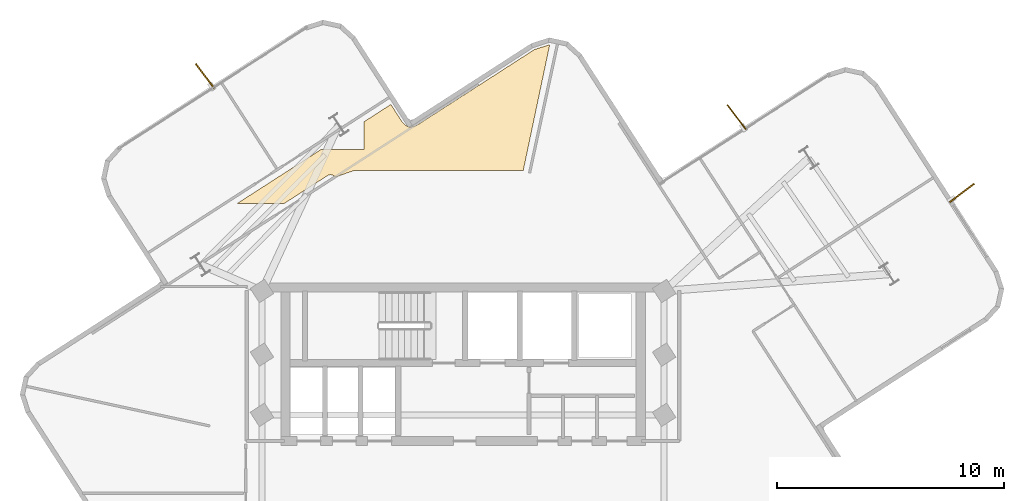
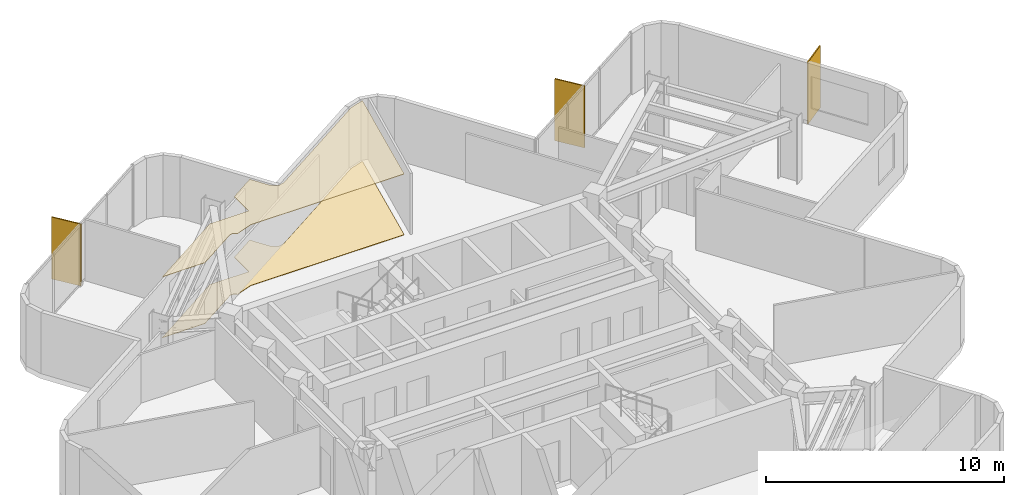
# One storey, part 8 of 8: 3 shading devices, 2 coverings.
"""IFC4 building model written with IfcOpenShell, lengths in metres."""

from ifc_helpers import new_model, si_unit, direction, frame, origin, origin_2d, place, context, subcontext, project, spatial, polyline, rectangle, outline, extrude, material, layer, layer_set, type_object, element, save


model = new_model("IFC4")

# Units and contexts
model_context = context("Model", 3, precision=1e-05, world=origin(), true_north=direction((0.0, 1.0)))
body_context = subcontext(model_context, "Body", "Model", "MODEL_VIEW")
ifc_project = project(units=[si_unit("LENGTHUNIT", "METRE"), si_unit("AREAUNIT", "SQUARE_METRE"), si_unit("VOLUMEUNIT", "CUBIC_METRE"), si_unit("PLANEANGLEUNIT", "RADIAN"), si_unit("MASSUNIT", "GRAM", prefix="KILO")], contexts=[model_context])

# Site, building, storey
site_placement = place(None, origin())
site = spatial("IfcSite", under=ifc_project, at=site_placement, CompositionType="ELEMENT")
building_placement = place(site_placement, origin())
building = spatial("IfcBuilding", under=site, at=building_placement, Name="Solmarez Civic Tower", CompositionType="ELEMENT")
storey_placement = place(building_placement, frame((0.0, 0.0, 218.8798828125)))
storey = spatial("IfcBuildingStorey", under=building, at=storey_placement, Name="L58", CompositionType="ELEMENT", Elevation=218.8798828125)

# Coverings
ifc_material_1 = material(Name="Perforated Mineral-Fibre Acoustic Ceiling")
ifc_layer_1 = layer(ifc_material_1, 0.02490234375)
ifc_layer_set_1 = layer_set([ifc_layer_1], Name="Perforated Mineral-Fibre Acoustic Ceiling")
covering_type_1 = type_object("IfcCoveringType", Name="COV-CEIL-ACOUSTIC", PredefinedType="CEILING", material=ifc_layer_set_1)
covering_1_placement = place(storey_placement, frame((0.0, 0.0, 3.115234375)))
element("IfcCovering", 1, at=covering_1_placement, inside=storey, type_object=covering_type_1, Name="L58 Suspended Acoustic Ceiling 2", PredefinedType="CEILING", context=body_context, shape_type="SweptSolid", body=[
    extrude(outline(polyline([(-9.94091796875, 12.199951171875), (-7.873046875, 12.199951171875), (-5.969970703125, 13.426025390625), (-5.9560546875, 13.43505859375), (-5.93994140625, 13.44189453125), (-5.930908203125, 13.446044921875), (-5.908935546875, 13.455078125), (-5.885009765625, 13.4609375), (-5.8798828125, 13.4619140625), (-5.875, 13.462890625), (-5.85400390625, 13.466064453125), (-5.83203125, 13.467041015625), (-5.822021484375, 13.467041015625), (-5.798095703125, 13.466064453125), (-5.77392578125, 13.4619140625), (-5.764892578125, 13.4599609375), (-5.743896484375, 13.4541015625), (-5.72412109375, 13.446044921875), (-5.715087890625, 13.44189453125), (-5.693115234375, 13.430908203125), (-5.672119140625, 13.4169921875), (-5.659912109375, 13.407958984375), (-5.64404296875, 13.39501953125), (-5.62890625, 13.3798828125), (-5.615966796875, 13.364013671875), (-5.610107421875, 13.35693359375), (-5.552978515625, 13.384033203125), (-5.532958984375, 13.39208984375), (-4.85107421875, 13.635986328125), (-4.844970703125, 13.637939453125), (-4.818115234375, 13.64501953125), (-4.81298828125, 13.64599609375), (-4.7919921875, 13.64892578125), (-4.77001953125, 13.64990234375), (2.64794921875, 13.64990234375), (3.81396484375, 19.18701171875), (3.806884765625, 19.18896484375), (3.133056640625, 18.970947265625), (-1.9951171875, 15.6669921875), (-2.01611328125, 15.655029296875), (-2.02197265625, 15.652099609375), (-2.028076171875, 15.64892578125), (-2.0390625, 15.64404296875), (-2.0458984375, 15.64111328125), (-2.06591796875, 15.633056640625), (-2.22900390625, 15.5810546875), (-2.242919921875, 15.577880859375), (-2.2509765625, 15.575927734375), (-2.27294921875, 15.571044921875), (-2.283935546875, 15.570068359375), (-2.2919921875, 15.569091796875), (-2.319091796875, 15.56689453125), (-2.325927734375, 15.56689453125), (-2.35302734375, 15.569091796875), (-2.361083984375, 15.570068359375), (-2.3779296875, 15.572021484375), (-2.39404296875, 15.575927734375), (-2.402099609375, 15.5791015625), (-2.4189453125, 15.583984375), (-2.43603515625, 15.590087890625), (-2.443115234375, 15.593017578125), (-2.4609375, 15.60205078125), (-2.47802734375, 15.612060546875), (-2.493896484375, 15.6220703125), (-2.510009765625, 15.634033203125), (-2.51611328125, 15.638916015625), (-2.52294921875, 15.64501953125), (-2.64990234375, 15.760009765625), (-2.657958984375, 15.76708984375), (-2.6630859375, 15.77197265625), (-2.677001953125, 15.7890625), (-2.69091796875, 15.80810546875), (-2.699951171875, 15.820068359375), (-3.177001953125, 16.55908203125), (-4.367919921875, 15.791015625), (-4.367919921875, 14.571044921875), (-6.261962890625, 14.571044921875), (-9.94091796875, 12.199951171875)])), origin(), (0.0, 0.0, 1.0), 0.02490234375),
])
ifc_material_2 = material(Name="Polished Tropical Stone Terrazzo Flooring", Category="masonry")
ifc_layer_2 = layer(ifc_material_2, 0.02001953125)
ifc_layer_set_2 = layer_set([ifc_layer_2], Name="Polished Tropical Stone Terrazzo Flooring")
covering_type_2 = type_object("IfcCoveringType", Name="COV-FLOOR-TERRAZZO", PredefinedType="FLOORING", material=ifc_layer_set_2)
covering_2_placement = place(storey_placement, origin())
element("IfcCovering", 2, at=covering_2_placement, inside=storey, type_object=covering_type_2, Name="L58 Terrazzo Floor Finish 2", PredefinedType="FLOORING", context=body_context, shape_type="SweptSolid", body=[
    extrude(outline(polyline([(-9.94091796875, 12.199951171875), (-7.873046875, 12.199951171875), (-5.969970703125, 13.426025390625), (-5.9560546875, 13.43505859375), (-5.93994140625, 13.44189453125), (-5.930908203125, 13.446044921875), (-5.908935546875, 13.455078125), (-5.885009765625, 13.4609375), (-5.8798828125, 13.4619140625), (-5.875, 13.462890625), (-5.85400390625, 13.466064453125), (-5.83203125, 13.467041015625), (-5.822021484375, 13.467041015625), (-5.798095703125, 13.466064453125), (-5.77392578125, 13.4619140625), (-5.764892578125, 13.4599609375), (-5.743896484375, 13.4541015625), (-5.72412109375, 13.446044921875), (-5.715087890625, 13.44189453125), (-5.693115234375, 13.430908203125), (-5.672119140625, 13.4169921875), (-5.659912109375, 13.407958984375), (-5.64404296875, 13.39501953125), (-5.62890625, 13.3798828125), (-5.615966796875, 13.364013671875), (-5.610107421875, 13.35693359375), (-5.552978515625, 13.384033203125), (-5.532958984375, 13.39208984375), (-4.85107421875, 13.635986328125), (-4.844970703125, 13.637939453125), (-4.818115234375, 13.64501953125), (-4.81298828125, 13.64599609375), (-4.7919921875, 13.64892578125), (-4.77001953125, 13.64990234375), (2.64794921875, 13.64990234375), (3.81396484375, 19.18701171875), (3.806884765625, 19.18896484375), (3.133056640625, 18.970947265625), (-1.9951171875, 15.6669921875), (-2.01611328125, 15.655029296875), (-2.02197265625, 15.652099609375), (-2.028076171875, 15.64892578125), (-2.0390625, 15.64404296875), (-2.0458984375, 15.64111328125), (-2.06591796875, 15.633056640625), (-2.22900390625, 15.5810546875), (-2.242919921875, 15.577880859375), (-2.2509765625, 15.575927734375), (-2.27294921875, 15.571044921875), (-2.283935546875, 15.570068359375), (-2.2919921875, 15.569091796875), (-2.319091796875, 15.56689453125), (-2.325927734375, 15.56689453125), (-2.35302734375, 15.569091796875), (-2.361083984375, 15.570068359375), (-2.3779296875, 15.572021484375), (-2.39404296875, 15.575927734375), (-2.402099609375, 15.5791015625), (-2.4189453125, 15.583984375), (-2.43603515625, 15.590087890625), (-2.443115234375, 15.593017578125), (-2.4609375, 15.60205078125), (-2.47802734375, 15.612060546875), (-2.493896484375, 15.6220703125), (-2.510009765625, 15.634033203125), (-2.51611328125, 15.638916015625), (-2.52294921875, 15.64501953125), (-2.64990234375, 15.760009765625), (-2.657958984375, 15.76708984375), (-2.6630859375, 15.77197265625), (-2.677001953125, 15.7890625), (-2.69091796875, 15.80810546875), (-2.699951171875, 15.820068359375), (-3.177001953125, 16.55908203125), (-4.367919921875, 15.791015625), (-4.367919921875, 14.571044921875), (-6.261962890625, 14.571044921875), (-9.94091796875, 12.199951171875)])), origin(), (0.0, 0.0, 1.0), 0.02001953125),
])

# Shading devices
ifc_material_3 = material(Name="Bronze Anodised Aluminium EN AW-6063 T6", Category="aluminium")
ifc_layer_3 = layer(ifc_material_3, 0.054931640625)
ifc_layer_set_3 = layer_set([ifc_layer_3], Name="Bronze Anodised Aluminium EN AW-6063 T6")
shading_device_type = type_object("IfcShadingDeviceType", Name="FIN-BRONZE-Z56", PredefinedType="USERDEFINED", material=ifc_layer_set_3)
for number, where, z_axis, x_axis, name in (
    (3, (-11.360107421875, 17.81103515625, -0.0400390625), (0.0, 0.0, 1.0), (-0.603124461644, 0.797647092245, 0.0), "L58 Anodised Bronze Solar Fin FIN-L58-02"),
    (4, (12.04296875, 16.0, -0.0400390625), (0.0, 0.0, 1.0), (-0.603194067188, 0.797594456669, 0.0), "L58 Anodised Bronze Solar Fin FIN-L58-03"),
    (5, (21.964111328125, 12.6669921875, -0.0400390625), (0.0, 0.0, 1.0), (0.797647092245, 0.603124461644, 0.0), "L58 Anodised Bronze Solar Fin FIN-L58-04"),
):
    element("IfcShadingDevice", number, at=place(storey_placement, frame(where, z_axis=z_axis, x_axis=x_axis)), inside=storey, type_object=shading_device_type, Name=name, ObjectType="FIN", PredefinedType="USERDEFINED", context=body_context, shape_type="SweptSolid", body=[
        extrude(rectangle(XDim=1.35009765625, YDim=0.054931640625, at=origin_2d()), origin(), (0.0, 0.0, 1.0), 3.179931640625),
    ])

save(model, "model.ifc")
